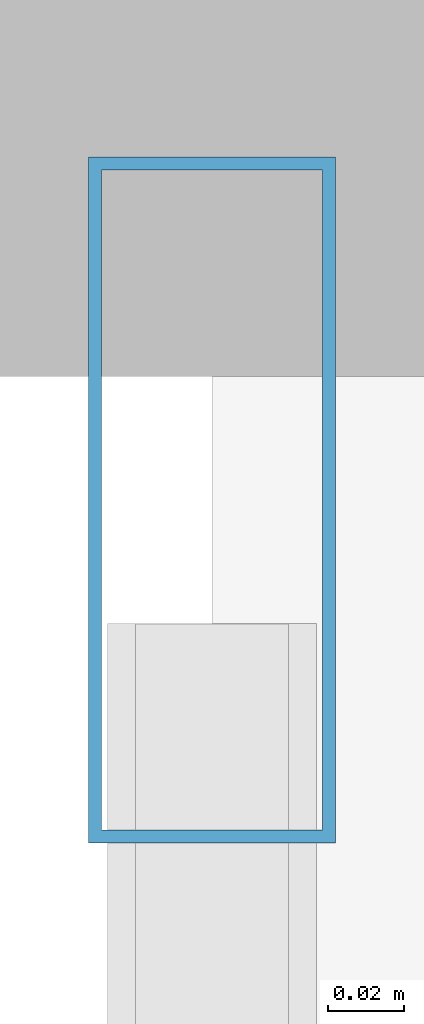
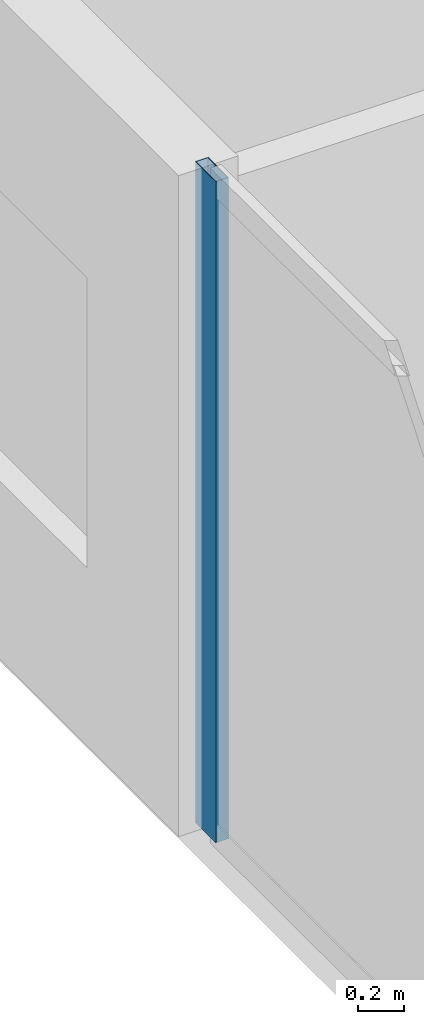
# One storey, part 17 of 33: 1 member, 1 element without a shape of its own.
"""IFC4 building model written with IfcOpenShell, lengths in metres."""

from ifc_helpers import new_model, si_unit, direction, frame, origin, origin_2d, place, context, subcontext, project, spatial, hollow_rectangle, extrude, material, layer, layer_set, material_profile, profile_set, type_object, element, aggregate, save


model = new_model("IFC4")

# Units and contexts
model_context = context("Model", 3, precision=1e-05, world=origin(), true_north=direction((0.0, 1.0)))
body_context = subcontext(model_context, "Body", "Model", "MODEL_VIEW")
ifc_project = project(units=[si_unit("LENGTHUNIT", "METRE"), si_unit("AREAUNIT", "SQUARE_METRE"), si_unit("VOLUMEUNIT", "CUBIC_METRE"), si_unit("PLANEANGLEUNIT", "RADIAN"), si_unit("MASSUNIT", "GRAM", prefix="KILO")], contexts=[model_context])

# Site, building, storey
site_placement = place(None, origin())
site = spatial("IfcSite", under=ifc_project, at=site_placement, CompositionType="ELEMENT")
building_placement = place(site_placement, origin())
building = spatial("IfcBuilding", under=site, at=building_placement, Name="Zuhayl Quay Hotel", CompositionType="ELEMENT")
storey_placement = place(building_placement, frame((0.0, 0.0, 199.89990234375)))
storey = spatial("IfcBuildingStorey", under=building, at=storey_placement, Name="L50", CompositionType="ELEMENT", Elevation=199.89990234375)

# Curtain wall, member
ifc_material_1 = material(Name="Anodised Aluminium 6063-T6", Category="aluminium")
ifc_layer = layer(ifc_material_1, 0.175048828125, Name="Anodised Aluminium 6063-T6", Category="aluminium")
ifc_layer_set = layer_set([ifc_layer], Name="Anodised Aluminium 6063-T6")
curtain_wall_type = type_object("IfcCurtainWallType", Name="CW_SYS_Z3", PredefinedType="USERDEFINED", material=ifc_layer_set)
curtain_wall_placement = place(storey_placement, origin())
curtain_wall = element("IfcCurtainWall", 1, at=curtain_wall_placement, inside=storey, type_object=curtain_wall_type, Name="L50 Curtain Wall ENV_L50_E05_CW1", ObjectType="UNITISED CURTAIN WALL", PredefinedType="USERDEFINED")
ifc_material_2 = material(Name="Black-anodised aluminium 6063-T6", Category="aluminium")
ifc_material_profile = material_profile(ifc_material_2, hollow_rectangle(XDim=0.06494140625, YDim=0.179931640625, WallThickness=0.00341796875, at=origin_2d()), Name="ALU180X65")
ifc_profile_set = profile_set([ifc_material_profile], Name="Black-anodised aluminium 6063-T6")
member_type = type_object("IfcMemberType", Name="MB_CW_MUL_180", PredefinedType="MULLION", material=ifc_profile_set)
member_placement = place(storey_placement, frame((-22.10009765625, 24.517578125, 0.0), z_axis=(0.0, 0.0, 1.0), x_axis=(-1.0, 0.0, 0.0)))
member = element("IfcMember", 2, at=member_placement, type_object=member_type, Name="CW-Z3 mullion 2", PredefinedType="MULLION", context=body_context, shape_type="SweptSolid", body=[
    extrude(hollow_rectangle(XDim=0.06494140625, YDim=0.179931640625, WallThickness=0.00341796875, at=origin_2d()), origin(), (0.0, 0.0, 1.0), 3.530029296875),
])
aggregate(curtain_wall, [member])

save(model, "model.ifc")
